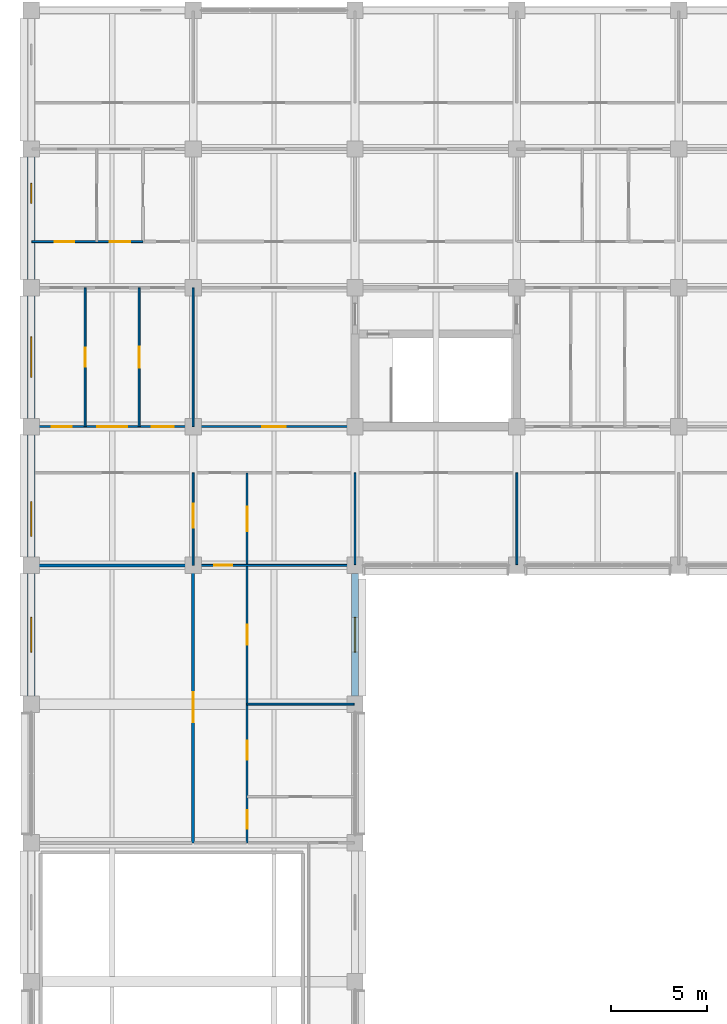
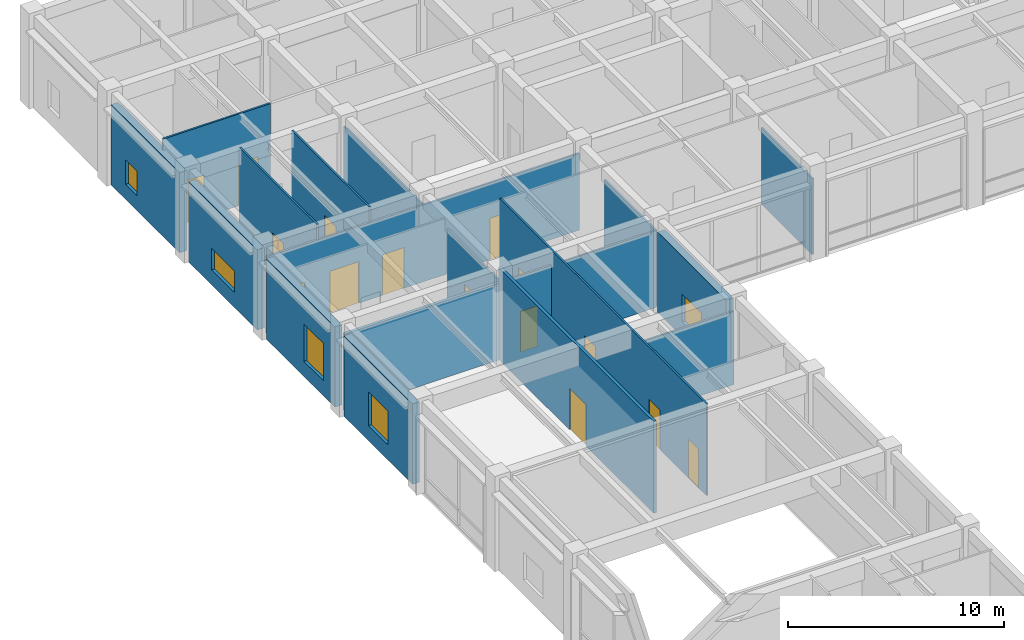
# One storey, part 32 of 58: 18 walls, 15 doors, 5 windows, 20 openings.
"""IFC4 building model written with IfcOpenShell, lengths in metres."""

from ifc_helpers import new_model, si_unit, direction, frame, frame_2d, origin, place, context, subcontext, project, spatial, rectangle, extrude, material, layer, layer_set, type_object, element, fill, save


model = new_model("IFC4")

# Units and contexts
model_context = context("Model", 3, precision=1e-05, world=origin(), true_north=direction((0.0, 1.0)))
body_context = subcontext(model_context, "Body", "Model", "MODEL_VIEW")
ifc_project = project(units=[si_unit("LENGTHUNIT", "METRE"), si_unit("AREAUNIT", "SQUARE_METRE"), si_unit("VOLUMEUNIT", "CUBIC_METRE"), si_unit("PLANEANGLEUNIT", "RADIAN"), si_unit("MASSUNIT", "GRAM", prefix="KILO")], contexts=[model_context])

# Site, building, storey
site_placement = place(None, origin())
site = spatial("IfcSite", under=ifc_project, at=site_placement, CompositionType="ELEMENT")
building_placement = place(site_placement, origin())
building = spatial("IfcBuilding", under=site, at=building_placement, Name="Chengyuan Square Courthouse", CompositionType="ELEMENT")
storey_placement = place(building_placement, frame((0.0, 0.0, 16.199951171875)))
storey = spatial("IfcBuildingStorey", under=building, at=storey_placement, Name="L04", CompositionType="ELEMENT", Elevation=16.199951171875)

# Wall, opening, window
ifc_material_1 = material(Name="Concrete C40", Category="concrete")
ifc_layer_1 = layer(ifc_material_1, 0.3798828125)
ifc_layer_set_1 = layer_set([ifc_layer_1], Name="Concrete C40")
wall_type_1 = type_object("IfcWallType", Name="WL-EW1", PredefinedType="STANDARD", material=ifc_layer_set_1)
wall_1_placement = place(storey_placement, frame((0.0, 72.419921875, 0.0), z_axis=(0.0, 0.0, 1.0), x_axis=(0.0, 1.0, 0.0)))
wall_1 = element("IfcWall", 1, at=wall_1_placement, inside=storey, type_object=wall_type_1, Name="Exterior Wall WL-L04-E299", PredefinedType="STANDARD", context=body_context, shape_type="SweptSolid", body=[
    extrude(rectangle(XDim=6.360107421875, YDim=0.3798828125, at=frame_2d((3.18017578125, 0.0))), origin(), (0.0, 0.0, 1.0), 4.550048828125),
])
opening_1_placement = place(wall_1_placement, frame((2.280029296875, 0.0, 0.85009765625)))
opening_1 = element("IfcOpeningElement", 2, at=opening_1_placement, cuts=wall_1, Name="Opening WN-085", PredefinedType="OPENING", context=body_context, shape_type="SweptSolid", body=[
    extrude(rectangle(XDim=1.800048828125, YDim=1.919921875, at=frame_2d((0.89990234375, 0.9599609375))), frame((0.0, 0.201904296875, 0.0), z_axis=(0.0, -1.0, 0.0), x_axis=(1.0, 0.0, 0.0)), (0.0, 0.0, 1.0), 0.40380859375),
])
ifc_material_2 = material(Name="Thermally Broken Aluminium Triple Low-E Window", Category="aluminium")
window_type_1 = type_object("IfcWindowType", Name="WT-35", PartitioningType="SINGLE_PANEL", PredefinedType="WINDOW", material=ifc_material_2)
window_1_placement = place(opening_1_placement, origin())
window_1 = element("IfcWindow", 3, at=window_1_placement, inside=storey, type_object=window_type_1, Name="Facade Window WN-085", OverallHeight=1.919921875, OverallWidth=1.800048828125, PartitioningType="SINGLE_PANEL", PredefinedType="WINDOW", context=body_context, shape_type="SweptSolid", body=[
    extrude(rectangle(XDim=1.800048828125, YDim=1.919921875, at=frame_2d((0.89990234375, 0.9599609375))), frame((0.0, 0.030029296875, 0.0), z_axis=(0.0, -1.0, 0.0), x_axis=(1.0, 0.0, 0.0)), (0.0, 0.0, 1.0), 0.06005859375),
])
fill(opening_1, window_1)

wall_2_placement = place(storey_placement, frame((0.0, 79.6201171875, 0.0), z_axis=(0.0, 0.0, 1.0), x_axis=(0.0, 1.0, 0.0)))
wall_2 = element("IfcWall", 4, at=wall_2_placement, inside=storey, type_object=wall_type_1, Name="Exterior Wall WL-L04-E300", PredefinedType="STANDARD", context=body_context, shape_type="SweptSolid", body=[
    extrude(rectangle(XDim=6.35986328125, YDim=0.3798828125, at=frame_2d((3.179931640625, 0.0))), origin(), (0.0, 0.0, 1.0), 4.550048828125),
])
opening_2_placement = place(wall_2_placement, frame((1.080078125, 0.0, 0.85009765625)))
opening_2 = element("IfcOpeningElement", 5, at=opening_2_placement, cuts=wall_2, Name="Opening WN-086", PredefinedType="OPENING", context=body_context, shape_type="SweptSolid", body=[
    extrude(rectangle(XDim=1.800048828125, YDim=2.1201171875, at=frame_2d((0.89990234375, 1.06005859375))), frame((0.0, 0.201904296875, 0.0), z_axis=(0.0, -1.0, 0.0), x_axis=(1.0, 0.0, 0.0)), (0.0, 0.0, 1.0), 0.40380859375),
])
window_type_2 = type_object("IfcWindowType", Name="WT-36", PartitioningType="SINGLE_PANEL", PredefinedType="WINDOW", material=ifc_material_2)
window_2_placement = place(opening_2_placement, origin())
window_2 = element("IfcWindow", 6, at=window_2_placement, inside=storey, type_object=window_type_2, Name="Facade Window WN-086", OverallHeight=2.1201171875, OverallWidth=1.800048828125, PartitioningType="SINGLE_PANEL", PredefinedType="WINDOW", context=body_context, shape_type="SweptSolid", body=[
    extrude(rectangle(XDim=1.800048828125, YDim=2.1201171875, at=frame_2d((0.89990234375, 1.06005859375))), frame((0.0, 0.030029296875, 0.0), z_axis=(0.0, -1.0, 0.0), x_axis=(1.0, 0.0, 0.0)), (0.0, 0.0, 1.0), 0.06005859375),
])
fill(opening_2, window_2)

wall_3_placement = place(storey_placement, frame((0.0, 86.820068359375, 0.0), z_axis=(0.0, 0.0, 1.0), x_axis=(0.0, 1.0, 0.0)))
wall_3 = element("IfcWall", 7, at=wall_3_placement, inside=storey, type_object=wall_type_1, Name="Exterior Wall WL-L04-E301", PredefinedType="STANDARD", context=body_context, shape_type="SweptSolid", body=[
    extrude(rectangle(XDim=6.35986328125, YDim=0.3798828125, at=frame_2d((3.179931640625, 0.0))), origin(), (0.0, 0.0, 1.0), 4.550048828125),
])
opening_3_placement = place(wall_3_placement, frame((2.1298828125, 0.0, 0.85009765625)))
opening_3 = element("IfcOpeningElement", 8, at=opening_3_placement, cuts=wall_3, Name="Opening WN-087", PredefinedType="OPENING", context=body_context, shape_type="SweptSolid", body=[
    extrude(rectangle(XDim=2.10009765625, YDim=1.199951171875, at=frame_2d((1.050048828125, 0.60009765625))), frame((0.0, 0.201904296875, 0.0), z_axis=(0.0, -1.0, 0.0), x_axis=(1.0, 0.0, 0.0)), (0.0, 0.0, 1.0), 0.40380859375),
])
window_type_3 = type_object("IfcWindowType", Name="WT-37", PartitioningType="SINGLE_PANEL", PredefinedType="WINDOW", material=ifc_material_2)
window_3_placement = place(opening_3_placement, origin())
window_3 = element("IfcWindow", 9, at=window_3_placement, inside=storey, type_object=window_type_3, Name="Facade Window WN-087", OverallHeight=1.199951171875, OverallWidth=2.10009765625, PartitioningType="SINGLE_PANEL", PredefinedType="WINDOW", context=body_context, shape_type="SweptSolid", body=[
    extrude(rectangle(XDim=2.10009765625, YDim=1.199951171875, at=frame_2d((1.050048828125, 0.60009765625))), frame((0.0, 0.030029296875, 0.0), z_axis=(0.0, -1.0, 0.0), x_axis=(1.0, 0.0, 0.0)), (0.0, 0.0, 1.0), 0.06005859375),
])
fill(opening_3, window_3)

wall_4_placement = place(storey_placement, frame((0.0, 94.02001953125, 0.0), z_axis=(0.0, 0.0, 1.0), x_axis=(0.0, 1.0, 0.0)))
wall_4 = element("IfcWall", 10, at=wall_4_placement, inside=storey, type_object=wall_type_1, Name="Exterior Wall WL-L04-E302", PredefinedType="STANDARD", context=body_context, shape_type="SweptSolid", body=[
    extrude(rectangle(XDim=6.35986328125, YDim=0.3798828125, at=frame_2d((3.179931640625, 0.0))), origin(), (0.0, 0.0, 1.0), 4.550048828125),
])
opening_4_placement = place(wall_4_placement, frame((3.955078125, 0.0, 0.85009765625)))
opening_4 = element("IfcOpeningElement", 11, at=opening_4_placement, cuts=wall_4, Name="Opening WN-088", PredefinedType="OPENING", context=body_context, shape_type="SweptSolid", body=[
    extrude(rectangle(XDim=1.050048828125, YDim=1.3798828125, at=frame_2d((0.52490234375, 0.68994140625))), frame((0.0, 0.201904296875, 0.0), z_axis=(0.0, -1.0, 0.0), x_axis=(1.0, 0.0, 0.0)), (0.0, 0.0, 1.0), 0.40380859375),
])
window_type_4 = type_object("IfcWindowType", Name="WT-08", PartitioningType="SINGLE_PANEL", PredefinedType="WINDOW", material=ifc_material_2)
window_4_placement = place(opening_4_placement, origin())
window_4 = element("IfcWindow", 12, at=window_4_placement, inside=storey, type_object=window_type_4, Name="Facade Window WN-088", OverallHeight=1.3798828125, OverallWidth=1.050048828125, PartitioningType="SINGLE_PANEL", PredefinedType="WINDOW", context=body_context, shape_type="SweptSolid", body=[
    extrude(rectangle(XDim=1.050048828125, YDim=1.3798828125, at=frame_2d((0.52490234375, 0.68994140625))), frame((0.0, 0.030029296875, 0.0), z_axis=(0.0, -1.0, 0.0), x_axis=(1.0, 0.0, 0.0)), (0.0, 0.0, 1.0), 0.06005859375),
])
fill(opening_4, window_4)

wall_5_placement = place(storey_placement, frame((16.800048828125, 72.419921875, 0.0), z_axis=(0.0, 0.0, 1.0), x_axis=(0.0, 1.0, 0.0)))
wall_5 = element("IfcWall", 13, at=wall_5_placement, inside=storey, type_object=wall_type_1, Name="Exterior Wall WL-L04-E309", PredefinedType="STANDARD", context=body_context, shape_type="SweptSolid", body=[
    extrude(rectangle(XDim=6.360107421875, YDim=0.3798828125, at=frame_2d((3.18017578125, 0.0))), origin(), (0.0, 0.0, 1.0), 4.550048828125),
])
opening_5_placement = place(wall_5_placement, frame((2.280029296875, 0.0, 0.85009765625)))
opening_5 = element("IfcOpeningElement", 14, at=opening_5_placement, cuts=wall_5, Name="Opening WN-093", PredefinedType="OPENING", context=body_context, shape_type="SweptSolid", body=[
    extrude(rectangle(XDim=1.800048828125, YDim=1.56005859375, at=frame_2d((0.89990234375, 0.780029296875))), frame((0.0, 0.201904296875, 0.0), z_axis=(0.0, -1.0, 0.0), x_axis=(1.0, 0.0, 0.0)), (0.0, 0.0, 1.0), 0.40380859375),
])
window_type_5 = type_object("IfcWindowType", Name="WT-33", PartitioningType="SINGLE_PANEL", PredefinedType="WINDOW", material=ifc_material_2)
window_5_placement = place(opening_5_placement, origin())
window_5 = element("IfcWindow", 15, at=window_5_placement, inside=storey, type_object=window_type_5, Name="Facade Window WN-093", OverallHeight=1.56005859375, OverallWidth=1.800048828125, PartitioningType="SINGLE_PANEL", PredefinedType="WINDOW", context=body_context, shape_type="SweptSolid", body=[
    extrude(rectangle(XDim=1.800048828125, YDim=1.56005859375, at=frame_2d((0.89990234375, 0.780029296875))), frame((0.0, 0.030029296875, 0.0), z_axis=(0.0, -1.0, 0.0), x_axis=(1.0, 0.0, 0.0)), (0.0, 0.0, 1.0), 0.06005859375),
])
fill(opening_5, window_5)

# Wall
ifc_material_3 = material(Name="Acoustic Timber-Lined Gypsum Partition", Category="wood")
ifc_layer_2 = layer(ifc_material_3, 0.159912109375)
ifc_layer_set_2 = layer_set([ifc_layer_2], Name="Acoustic Timber-Lined Gypsum Partition")
wall_type_2 = type_object("IfcWallType", Name="WL-PT2", PredefinedType="STANDARD", material=ifc_layer_set_2)
wall_6_placement = place(storey_placement, frame((0.0400390625, 79.199951171875, 0.0), z_axis=(0.0, 0.0, 1.0), x_axis=(1.0, 0.0, 0.0)))
element("IfcWall", 16, at=wall_6_placement, inside=storey, type_object=wall_type_2, Name="Interior Wall WL-L04-I1769", PredefinedType="STANDARD", context=body_context, shape_type="SweptSolid", body=[
    extrude(rectangle(XDim=8.35986328125, YDim=0.159912109375, at=frame_2d((4.179931640625, 0.0))), origin(), (0.0, 0.0, 1.0), 4.35009765625),
])

# Wall, opening, door
wall_7_placement = place(storey_placement, frame((8.39990234375, 64.800048828125, 0.0), z_axis=(0.0, 0.0, 1.0), x_axis=(0.0, 1.0, 0.0)))
wall_7 = element("IfcWall", 17, at=wall_7_placement, inside=storey, type_object=wall_type_2, Name="Interior Wall WL-L04-I1918", PredefinedType="STANDARD", context=body_context, shape_type="SweptSolid", body=[
    extrude(rectangle(XDim=14.39990234375, YDim=0.159912109375, at=frame_2d((7.199951171875, 0.0))), origin(), (0.0, 0.0, 1.0), 5.199951171875),
])
opening_6_placement = place(wall_7_placement, frame((6.25244140625, 0.0, 0.0)))
opening_6 = element("IfcOpeningElement", 18, at=opening_6_placement, cuts=wall_7, Name="Opening DR-1906", PredefinedType="OPENING", context=body_context, shape_type="SweptSolid", body=[
    extrude(rectangle(XDim=1.550048828125, YDim=2.35009765625, at=frame_2d((0.77490234375, 1.175048828125))), frame((0.0, 0.092041015625, 0.0), z_axis=(0.0, -1.0, 0.0), x_axis=(1.0, 0.0, 0.0)), (0.0, 0.0, 1.0), 0.183837890625),
])
ifc_material_4 = material(Name="Acoustic Larch Veneer Double Door")
door_type_1 = type_object("IfcDoorType", Name="DT-23", OperationType="DOUBLE_DOOR_SINGLE_SWING", PredefinedType="DOOR", material=ifc_material_4)
door_1_placement = place(opening_6_placement, frame((1.550048828125, 0.0, 0.0), z_axis=(0.0, 0.0, 1.0), x_axis=(-1.0, 0.0, 0.0)))
door_1 = element("IfcDoor", 19, at=door_1_placement, inside=storey, type_object=door_type_1, Name="Interior Door DR-1906", OperationType="DOUBLE_DOOR_SINGLE_SWING", OverallHeight=2.35009765625, OverallWidth=1.550048828125, PredefinedType="DOOR", context=body_context, shape_type="SweptSolid", body=[
    extrude(rectangle(XDim=1.550048828125, YDim=2.35009765625, at=frame_2d((0.77490234375, 1.175048828125))), frame((0.0, 0.02490234375, 0.0), z_axis=(0.0, -1.0, 0.0), x_axis=(1.0, 0.0, 0.0)), (0.0, 0.0, 1.0), 0.050048828125),
])
fill(opening_6, door_1)

# Wall
ifc_material_5 = material(Name="Gypsum Plasterboard Acoustic Stud Partition")
ifc_layer_3 = layer(ifc_material_5, 0.10009765625)
ifc_layer_set_3 = layer_set([ifc_layer_3], Name="Gypsum Plasterboard Acoustic Stud Partition")
wall_type_3 = type_object("IfcWallType", Name="WL-PT6", PredefinedType="STANDARD", material=ifc_layer_set_3)
wall_8_placement = place(storey_placement, frame((11.199951171875, 72.0, 0.0), z_axis=(0.0, 0.0, 1.0), x_axis=(1.0, 0.0, 0.0)))
element("IfcWall", 20, at=wall_8_placement, inside=storey, type_object=wall_type_3, Name="Interior Wall WL-L04-I1767", PredefinedType="STANDARD", context=body_context, shape_type="SweptSolid", body=[
    extrude(rectangle(XDim=5.56005859375, YDim=0.10009765625, at=frame_2d((2.780029296875, 0.0))), origin(), (0.0, 0.0, 1.0), 4.150146484375),
])

# Wall, opening, door
wall_9_placement = place(storey_placement, frame((8.39990234375, 79.199951171875, 0.0), z_axis=(0.0, 0.0, 1.0), x_axis=(1.0, 0.0, 0.0)))
wall_9 = element("IfcWall", 21, at=wall_9_placement, inside=storey, type_object=wall_type_3, Name="Interior Wall WL-L04-I1770", PredefinedType="STANDARD", context=body_context, shape_type="SweptSolid", body=[
    extrude(rectangle(XDim=8.360107421875, YDim=0.10009765625, at=frame_2d((4.18017578125, 0.0))), origin(), (0.0, 0.0, 1.0), 4.35009765625),
])
opening_7_placement = place(wall_9_placement, frame((1.1025390625, 0.0, 0.0)))
opening_7 = element("IfcOpeningElement", 22, at=opening_7_placement, cuts=wall_9, Name="Opening DR-1895", PredefinedType="OPENING", context=body_context, shape_type="SweptSolid", body=[
    extrude(rectangle(XDim=0.93994140625, YDim=2.300048828125, at=frame_2d((0.469970703125, 1.14990234375))), frame((0.0, 0.06201171875, 0.0), z_axis=(0.0, -1.0, 0.0), x_axis=(1.0, 0.0, 0.0)), (0.0, 0.0, 1.0), 0.1240234375),
])
ifc_material_6 = material(Name="Acoustic Solid-Core Timber Door", Category="wood")
door_type_2 = type_object("IfcDoorType", Name="DT-39", OperationType="NOTDEFINED", PredefinedType="DOOR", material=ifc_material_6)
door_2_placement = place(opening_7_placement, origin())
door_2 = element("IfcDoor", 23, at=door_2_placement, inside=storey, type_object=door_type_2, Name="Interior Door DR-1895", OperationType="SINGLE_SWING_RIGHT", OverallHeight=2.300048828125, OverallWidth=0.93994140625, PredefinedType="DOOR", context=body_context, shape_type="SweptSolid", body=[
    extrude(rectangle(XDim=0.93994140625, YDim=2.300048828125, at=frame_2d((0.469970703125, 1.14990234375))), frame((0.0, 0.02490234375, 0.0), z_axis=(0.0, -1.0, 0.0), x_axis=(1.0, 0.0, 0.0)), (0.0, 0.0, 1.0), 0.050048828125),
])
fill(opening_7, door_2)

# Wall, openings, doors
wall_10_placement = place(storey_placement, frame((0.0400390625, 86.39990234375, 0.0), z_axis=(0.0, 0.0, 1.0), x_axis=(1.0, 0.0, 0.0)))
wall_10 = element("IfcWall", 24, at=wall_10_placement, inside=storey, type_object=wall_type_3, Name="Interior Wall WL-L04-I1778", PredefinedType="STANDARD", context=body_context, shape_type="SweptSolid", body=[
    extrude(rectangle(XDim=16.760009765625, YDim=0.10009765625, at=frame_2d((8.3798828125, 0.0))), origin(), (0.0, 0.0, 1.0), 4.35009765625),
])
opening_8_placement = place(wall_10_placement, frame((1.012451171875, 0.0, 0.0)))
opening_8 = element("IfcOpeningElement", 25, at=opening_8_placement, cuts=wall_10, Name="Opening DR-1820", PredefinedType="OPENING", context=body_context, shape_type="SweptSolid", body=[
    extrude(rectangle(XDim=1.0400390625, YDim=2.199951171875, at=frame_2d((0.52001953125, 1.10009765625))), frame((0.0, 0.06201171875, 0.0), z_axis=(0.0, -1.0, 0.0), x_axis=(1.0, 0.0, 0.0)), (0.0, 0.0, 1.0), 0.1240234375),
])
opening_9_placement = place(wall_10_placement, frame((3.385009765625, 0.0, 0.0)))
opening_9 = element("IfcOpeningElement", 26, at=opening_9_placement, cuts=wall_10, Name="Opening DR-1822", PredefinedType="OPENING", context=body_context, shape_type="SweptSolid", body=[
    extrude(rectangle(XDim=1.550048828125, YDim=2.35009765625, at=frame_2d((0.77490234375, 1.175048828125))), frame((0.0, 0.06201171875, 0.0), z_axis=(0.0, -1.0, 0.0), x_axis=(1.0, 0.0, 0.0)), (0.0, 0.0, 1.0), 0.1240234375),
])
opening_10_placement = place(wall_10_placement, frame((6.20751953125, 0.0, 0.0)))
opening_10 = element("IfcOpeningElement", 27, at=opening_10_placement, cuts=wall_10, Name="Opening DR-1823", PredefinedType="OPENING", context=body_context, shape_type="SweptSolid", body=[
    extrude(rectangle(XDim=1.159912109375, YDim=2.300048828125, at=frame_2d((0.580078125, 1.14990234375))), frame((0.0, 0.06201171875, 0.0), z_axis=(0.0, -1.0, 0.0), x_axis=(1.0, 0.0, 0.0)), (0.0, 0.0, 1.0), 0.1240234375),
])
opening_11_placement = place(wall_10_placement, frame((11.9599609375, 0.0, 0.0)))
opening_11 = element("IfcOpeningElement", 28, at=opening_11_placement, cuts=wall_10, Name="Opening DR-1824", PredefinedType="OPENING", context=body_context, shape_type="SweptSolid", body=[
    extrude(rectangle(XDim=1.199951171875, YDim=2.35009765625, at=frame_2d((0.60009765625, 1.175048828125))), frame((0.0, 0.06201171875, 0.0), z_axis=(0.0, -1.0, 0.0), x_axis=(1.0, 0.0, 0.0)), (0.0, 0.0, 1.0), 0.1240234375),
])
door_3_placement = place(opening_9_placement, frame((1.550048828125, 0.0, 0.0), z_axis=(0.0, 0.0, 1.0), x_axis=(-1.0, 0.0, 0.0)))
door_3 = element("IfcDoor", 29, at=door_3_placement, inside=storey, type_object=door_type_1, Name="Interior Door DR-1822", OperationType="DOUBLE_DOOR_SINGLE_SWING", OverallHeight=2.35009765625, OverallWidth=1.550048828125, PredefinedType="DOOR", context=body_context, shape_type="SweptSolid", body=[
    extrude(rectangle(XDim=1.550048828125, YDim=2.35009765625, at=frame_2d((0.77490234375, 1.175048828125))), frame((0.0, 0.02490234375, 0.0), z_axis=(0.0, -1.0, 0.0), x_axis=(1.0, 0.0, 0.0)), (0.0, 0.0, 1.0), 0.050048828125),
])
fill(opening_9, door_3)
door_type_3 = type_object("IfcDoorType", Name="DT-32", OperationType="NOTDEFINED", PredefinedType="DOOR", material=ifc_material_6)
door_4_placement = place(opening_8_placement, origin())
door_4 = element("IfcDoor", 30, at=door_4_placement, inside=storey, type_object=door_type_3, Name="Interior Door DR-1820", OperationType="SINGLE_SWING_LEFT", OverallHeight=2.199951171875, OverallWidth=1.0400390625, PredefinedType="DOOR", context=body_context, shape_type="SweptSolid", body=[
    extrude(rectangle(XDim=1.0400390625, YDim=2.199951171875, at=frame_2d((0.52001953125, 1.10009765625))), frame((0.0, 0.02490234375, 0.0), z_axis=(0.0, -1.0, 0.0), x_axis=(1.0, 0.0, 0.0)), (0.0, 0.0, 1.0), 0.050048828125),
])
fill(opening_8, door_4)
door_type_4 = type_object("IfcDoorType", Name="DT-35", OperationType="NOTDEFINED", PredefinedType="DOOR", material=ifc_material_6)
door_5_placement = place(opening_10_placement, origin())
door_5 = element("IfcDoor", 31, at=door_5_placement, inside=storey, type_object=door_type_4, Name="Interior Door DR-1823", OperationType="SINGLE_SWING_LEFT", OverallHeight=2.300048828125, OverallWidth=1.159912109375, PredefinedType="DOOR", context=body_context, shape_type="SweptSolid", body=[
    extrude(rectangle(XDim=1.159912109375, YDim=2.300048828125, at=frame_2d((0.580078125, 1.14990234375))), frame((0.0, 0.02490234375, 0.0), z_axis=(0.0, -1.0, 0.0), x_axis=(1.0, 0.0, 0.0)), (0.0, 0.0, 1.0), 0.050048828125),
])
fill(opening_10, door_5)
door_type_5 = type_object("IfcDoorType", Name="DT-36", OperationType="NOTDEFINED", PredefinedType="DOOR", material=ifc_material_6)
door_6_placement = place(opening_11_placement, origin())
door_6 = element("IfcDoor", 32, at=door_6_placement, inside=storey, type_object=door_type_5, Name="Interior Door DR-1824", OperationType="SINGLE_SWING_RIGHT", OverallHeight=2.35009765625, OverallWidth=1.199951171875, PredefinedType="DOOR", context=body_context, shape_type="SweptSolid", body=[
    extrude(rectangle(XDim=1.199951171875, YDim=2.35009765625, at=frame_2d((0.60009765625, 1.175048828125))), frame((0.0, 0.02490234375, 0.0), z_axis=(0.0, -1.0, 0.0), x_axis=(1.0, 0.0, 0.0)), (0.0, 0.0, 1.0), 0.050048828125),
])
fill(opening_11, door_6)

wall_11_placement = place(storey_placement, frame((0.0400390625, 96.0, 0.0), z_axis=(0.0, 0.0, 1.0), x_axis=(1.0, 0.0, 0.0)))
wall_11 = element("IfcWall", 33, at=wall_11_placement, inside=storey, type_object=wall_type_3, Name="Interior Wall WL-L04-I1822", PredefinedType="STANDARD", context=body_context, shape_type="SweptSolid", body=[
    extrude(rectangle(XDim=5.760009765625, YDim=0.10009765625, at=frame_2d((2.8798828125, 0.0))), origin(), (0.0, 0.0, 1.0), 5.199951171875),
])
opening_12_placement = place(wall_11_placement, frame((1.169921875, 0.0, 0.0)))
opening_12 = element("IfcOpeningElement", 34, at=opening_12_placement, cuts=wall_11, Name="Opening DR-1744", PredefinedType="OPENING", context=body_context, shape_type="SweptSolid", body=[
    extrude(rectangle(XDim=1.02001953125, YDim=2.39990234375, at=frame_2d((0.510009765625, 1.199951171875))), frame((0.0, 0.06201171875, 0.0), z_axis=(0.0, -1.0, 0.0), x_axis=(1.0, 0.0, 0.0)), (0.0, 0.0, 1.0), 0.1240234375),
])
opening_13_placement = place(wall_11_placement, frame((4.030029296875, 0.0, 0.0)))
opening_13 = element("IfcOpeningElement", 35, at=opening_13_placement, cuts=wall_11, Name="Opening DR-1745", PredefinedType="OPENING", context=body_context, shape_type="SweptSolid", body=[
    extrude(rectangle(XDim=1.06005859375, YDim=2.39990234375, at=frame_2d((0.530029296875, 1.199951171875))), frame((0.0, 0.06201171875, 0.0), z_axis=(0.0, -1.0, 0.0), x_axis=(1.0, 0.0, 0.0)), (0.0, 0.0, 1.0), 0.1240234375),
])
door_type_6 = type_object("IfcDoorType", Name="DT-41", OperationType="NOTDEFINED", PredefinedType="DOOR", material=ifc_material_6)
door_7_placement = place(opening_12_placement, origin())
door_7 = element("IfcDoor", 36, at=door_7_placement, inside=storey, type_object=door_type_6, Name="Interior Door DR-1744", OperationType="SINGLE_SWING_RIGHT", OverallHeight=2.39990234375, OverallWidth=1.02001953125, PredefinedType="DOOR", context=body_context, shape_type="SweptSolid", body=[
    extrude(rectangle(XDim=1.02001953125, YDim=2.39990234375, at=frame_2d((0.510009765625, 1.199951171875))), frame((0.0, 0.02490234375, 0.0), z_axis=(0.0, -1.0, 0.0), x_axis=(1.0, 0.0, 0.0)), (0.0, 0.0, 1.0), 0.050048828125),
])
fill(opening_12, door_7)
door_type_7 = type_object("IfcDoorType", Name="DT-42", OperationType="NOTDEFINED", PredefinedType="DOOR", material=ifc_material_6)
door_8_placement = place(opening_13_placement, origin())
door_8 = element("IfcDoor", 37, at=door_8_placement, inside=storey, type_object=door_type_7, Name="Interior Door DR-1745", OperationType="SINGLE_SWING_LEFT", OverallHeight=2.39990234375, OverallWidth=1.06005859375, PredefinedType="DOOR", context=body_context, shape_type="SweptSolid", body=[
    extrude(rectangle(XDim=1.06005859375, YDim=2.39990234375, at=frame_2d((0.530029296875, 1.199951171875))), frame((0.0, 0.02490234375, 0.0), z_axis=(0.0, -1.0, 0.0), x_axis=(1.0, 0.0, 0.0)), (0.0, 0.0, 1.0), 0.050048828125),
])
fill(opening_13, door_8)

# Wall, opening, door
wall_12_placement = place(storey_placement, frame((2.800048828125, 86.39990234375, 0.0), z_axis=(0.0, 0.0, 1.0), x_axis=(0.0, 1.0, 0.0)))
wall_12 = element("IfcWall", 38, at=wall_12_placement, inside=storey, type_object=wall_type_3, Name="Interior Wall WL-L04-I1911", PredefinedType="STANDARD", context=body_context, shape_type="SweptSolid", body=[
    extrude(rectangle(XDim=7.2001953125, YDim=0.10009765625, at=frame_2d((3.60009765625, 0.0))), origin(), (0.0, 0.0, 1.0), 5.199951171875),
])
opening_14_placement = place(wall_12_placement, frame((3.10009765625, 0.0, 0.0)))
opening_14 = element("IfcOpeningElement", 39, at=opening_14_placement, cuts=wall_12, Name="Opening DR-1819", PredefinedType="OPENING", context=body_context, shape_type="SweptSolid", body=[
    extrude(rectangle(XDim=1.0, YDim=2.25, at=frame_2d((0.5, 1.125))), frame((0.0, 0.06201171875, 0.0), z_axis=(0.0, -1.0, 0.0), x_axis=(1.0, 0.0, 0.0)), (0.0, 0.0, 1.0), 0.1240234375),
])
door_type_8 = type_object("IfcDoorType", Name="DT-31", OperationType="NOTDEFINED", PredefinedType="DOOR", material=ifc_material_6)
door_9_placement = place(opening_14_placement, origin())
door_9 = element("IfcDoor", 40, at=door_9_placement, inside=storey, type_object=door_type_8, Name="Interior Door DR-1819", OperationType="SINGLE_SWING_RIGHT", OverallHeight=2.25, OverallWidth=1.0, PredefinedType="DOOR", context=body_context, shape_type="SweptSolid", body=[
    extrude(rectangle(XDim=1.0, YDim=2.25, at=frame_2d((0.5, 1.125))), frame((0.0, 0.02490234375, 0.0), z_axis=(0.0, -1.0, 0.0), x_axis=(1.0, 0.0, 0.0)), (0.0, 0.0, 1.0), 0.050048828125),
])
fill(opening_14, door_9)

wall_13_placement = place(storey_placement, frame((5.60009765625, 86.39990234375, 0.0), z_axis=(0.0, 0.0, 1.0), x_axis=(0.0, 1.0, 0.0)))
wall_13 = element("IfcWall", 41, at=wall_13_placement, inside=storey, type_object=wall_type_3, Name="Interior Wall WL-L04-I1913", PredefinedType="STANDARD", context=body_context, shape_type="SweptSolid", body=[
    extrude(rectangle(XDim=7.2001953125, YDim=0.10009765625, at=frame_2d((3.60009765625, 0.0))), origin(), (0.0, 0.0, 1.0), 5.199951171875),
])
opening_15_placement = place(wall_13_placement, frame((3.06005859375, 0.0, 0.0)))
opening_15 = element("IfcOpeningElement", 42, at=opening_15_placement, cuts=wall_13, Name="Opening DR-1821", PredefinedType="OPENING", context=body_context, shape_type="SweptSolid", body=[
    extrude(rectangle(XDim=1.080078125, YDim=2.25, at=frame_2d((0.5400390625, 1.125))), frame((0.0, 0.06201171875, 0.0), z_axis=(0.0, -1.0, 0.0), x_axis=(1.0, 0.0, 0.0)), (0.0, 0.0, 1.0), 0.1240234375),
])
door_type_9 = type_object("IfcDoorType", Name="DT-33", OperationType="NOTDEFINED", PredefinedType="DOOR", material=ifc_material_6)
door_10_placement = place(opening_15_placement, origin())
door_10 = element("IfcDoor", 43, at=door_10_placement, inside=storey, type_object=door_type_9, Name="Interior Door DR-1821", OperationType="SINGLE_SWING_RIGHT", OverallHeight=2.25, OverallWidth=1.080078125, PredefinedType="DOOR", context=body_context, shape_type="SweptSolid", body=[
    extrude(rectangle(XDim=1.080078125, YDim=2.25, at=frame_2d((0.5400390625, 1.125))), frame((0.0, 0.02490234375, 0.0), z_axis=(0.0, -1.0, 0.0), x_axis=(1.0, 0.0, 0.0)), (0.0, 0.0, 1.0), 0.050048828125),
])
fill(opening_15, door_10)

wall_14_placement = place(storey_placement, frame((8.39990234375, 79.199951171875, 0.0), z_axis=(0.0, 0.0, 1.0), x_axis=(0.0, 1.0, 0.0)))
wall_14 = element("IfcWall", 44, at=wall_14_placement, inside=storey, type_object=wall_type_3, Name="Interior Wall WL-L04-I1919", PredefinedType="STANDARD", context=body_context, shape_type="SweptSolid", body=[
    extrude(rectangle(XDim=4.800048828125, YDim=0.10009765625, at=frame_2d((2.39990234375, 0.0))), origin(), (0.0, 0.0, 1.0), 4.449951171875),
])
opening_16_placement = place(wall_14_placement, frame((1.952392578125, 0.0, 0.0)))
opening_16 = element("IfcOpeningElement", 45, at=opening_16_placement, cuts=wall_14, Name="Opening DR-1893", PredefinedType="OPENING", context=body_context, shape_type="SweptSolid", body=[
    extrude(rectangle(XDim=1.239990234375, YDim=2.300048828125, at=frame_2d((0.6201171875, 1.14990234375))), frame((0.0, 0.06201171875, 0.0), z_axis=(0.0, -1.0, 0.0), x_axis=(1.0, 0.0, 0.0)), (0.0, 0.0, 1.0), 0.1240234375),
])
door_type_10 = type_object("IfcDoorType", Name="DT-37", OperationType="NOTDEFINED", PredefinedType="DOOR", material=ifc_material_6)
door_11_placement = place(opening_16_placement, origin())
door_11 = element("IfcDoor", 46, at=door_11_placement, inside=storey, type_object=door_type_10, Name="Interior Door DR-1893", OperationType="SINGLE_SWING_RIGHT", OverallHeight=2.300048828125, OverallWidth=1.239990234375, PredefinedType="DOOR", context=body_context, shape_type="SweptSolid", body=[
    extrude(rectangle(XDim=1.239990234375, YDim=2.300048828125, at=frame_2d((0.6201171875, 1.14990234375))), frame((0.0, 0.02490234375, 0.0), z_axis=(0.0, -1.0, 0.0), x_axis=(1.0, 0.0, 0.0)), (0.0, 0.0, 1.0), 0.050048828125),
])
fill(opening_16, door_11)

# Wall
wall_15_placement = place(storey_placement, frame((8.39990234375, 86.39990234375, 0.0), z_axis=(0.0, 0.0, 1.0), x_axis=(0.0, 1.0, 0.0)))
element("IfcWall", 47, at=wall_15_placement, inside=storey, type_object=wall_type_3, Name="Interior Wall WL-L04-I1920", PredefinedType="STANDARD", context=body_context, shape_type="SweptSolid", body=[
    extrude(rectangle(XDim=7.2001953125, YDim=0.10009765625, at=frame_2d((3.60009765625, 0.0))), origin(), (0.0, 0.0, 1.0), 4.449951171875),
])

# Wall, openings, doors
wall_16_placement = place(storey_placement, frame((11.199951171875, 64.800048828125, 0.0), z_axis=(0.0, 0.0, 1.0), x_axis=(0.0, 1.0, 0.0)))
wall_16 = element("IfcWall", 48, at=wall_16_placement, inside=storey, type_object=wall_type_3, Name="Interior Wall WL-L04-I1924", PredefinedType="STANDARD", context=body_context, shape_type="SweptSolid", body=[
    extrude(rectangle(XDim=19.199951171875, YDim=0.10009765625, at=frame_2d((9.60009765625, 0.0))), origin(), (0.0, 0.0, 1.0), 5.199951171875),
])
opening_17_placement = place(wall_16_placement, frame((16.159912109375, 0.0, 0.0)))
opening_17 = element("IfcOpeningElement", 49, at=opening_17_placement, cuts=wall_16, Name="Opening DR-1894", PredefinedType="OPENING", context=body_context, shape_type="SweptSolid", body=[
    extrude(rectangle(XDim=1.280029296875, YDim=2.35009765625, at=frame_2d((0.64013671875, 1.175048828125))), frame((0.0, 0.06201171875, 0.0), z_axis=(0.0, -1.0, 0.0), x_axis=(1.0, 0.0, 0.0)), (0.0, 0.0, 1.0), 0.1240234375),
])
opening_18_placement = place(wall_16_placement, frame((0.719970703125, 0.0, 0.0)))
opening_18 = element("IfcOpeningElement", 50, at=opening_18_placement, cuts=wall_16, Name="Opening DR-1903", PredefinedType="OPENING", context=body_context, shape_type="SweptSolid", body=[
    extrude(rectangle(XDim=0.9599609375, YDim=2.199951171875, at=frame_2d((0.47998046875, 1.10009765625))), frame((0.0, 0.06201171875, 0.0), z_axis=(0.0, -1.0, 0.0), x_axis=(1.0, 0.0, 0.0)), (0.0, 0.0, 1.0), 0.1240234375),
])
opening_19_placement = place(wall_16_placement, frame((4.300048828125, 0.0, 0.0)))
opening_19 = element("IfcOpeningElement", 51, at=opening_19_placement, cuts=wall_16, Name="Opening DR-1904", PredefinedType="OPENING", context=body_context, shape_type="SweptSolid", body=[
    extrude(rectangle(XDim=1.0, YDim=2.25, at=frame_2d((0.5, 1.125))), frame((0.0, 0.06201171875, 0.0), z_axis=(0.0, -1.0, 0.0), x_axis=(1.0, 0.0, 0.0)), (0.0, 0.0, 1.0), 0.1240234375),
])
opening_20_placement = place(wall_16_placement, frame((10.280029296875, 0.0, 0.0)))
opening_20 = element("IfcOpeningElement", 52, at=opening_20_placement, cuts=wall_16, Name="Opening DR-1905", PredefinedType="OPENING", context=body_context, shape_type="SweptSolid", body=[
    extrude(rectangle(XDim=1.0400390625, YDim=2.199951171875, at=frame_2d((0.52001953125, 1.10009765625))), frame((0.0, 0.06201171875, 0.0), z_axis=(0.0, -1.0, 0.0), x_axis=(1.0, 0.0, 0.0)), (0.0, 0.0, 1.0), 0.1240234375),
])
door_type_11 = type_object("IfcDoorType", Name="DT-30", OperationType="NOTDEFINED", PredefinedType="DOOR", material=ifc_material_6)
door_12_placement = place(opening_18_placement, origin())
door_12 = element("IfcDoor", 53, at=door_12_placement, inside=storey, type_object=door_type_11, Name="Interior Door DR-1903", OperationType="SINGLE_SWING_RIGHT", OverallHeight=2.199951171875, OverallWidth=0.9599609375, PredefinedType="DOOR", context=body_context, shape_type="SweptSolid", body=[
    extrude(rectangle(XDim=0.9599609375, YDim=2.199951171875, at=frame_2d((0.47998046875, 1.10009765625))), frame((0.0, 0.02490234375, 0.0), z_axis=(0.0, -1.0, 0.0), x_axis=(1.0, 0.0, 0.0)), (0.0, 0.0, 1.0), 0.050048828125),
])
fill(opening_18, door_12)
door_13_placement = place(opening_19_placement, origin())
door_13 = element("IfcDoor", 54, at=door_13_placement, inside=storey, type_object=door_type_8, Name="Interior Door DR-1904", OperationType="SINGLE_SWING_LEFT", OverallHeight=2.25, OverallWidth=1.0, PredefinedType="DOOR", context=body_context, shape_type="SweptSolid", body=[
    extrude(rectangle(XDim=1.0, YDim=2.25, at=frame_2d((0.5, 1.125))), frame((0.0, 0.02490234375, 0.0), z_axis=(0.0, -1.0, 0.0), x_axis=(1.0, 0.0, 0.0)), (0.0, 0.0, 1.0), 0.050048828125),
])
fill(opening_19, door_13)
door_14_placement = place(opening_20_placement, origin())
door_14 = element("IfcDoor", 55, at=door_14_placement, inside=storey, type_object=door_type_3, Name="Interior Door DR-1905", OperationType="SINGLE_SWING_RIGHT", OverallHeight=2.199951171875, OverallWidth=1.0400390625, PredefinedType="DOOR", context=body_context, shape_type="SweptSolid", body=[
    extrude(rectangle(XDim=1.0400390625, YDim=2.199951171875, at=frame_2d((0.52001953125, 1.10009765625))), frame((0.0, 0.02490234375, 0.0), z_axis=(0.0, -1.0, 0.0), x_axis=(1.0, 0.0, 0.0)), (0.0, 0.0, 1.0), 0.050048828125),
])
fill(opening_20, door_14)
door_type_12 = type_object("IfcDoorType", Name="DT-38", OperationType="NOTDEFINED", PredefinedType="DOOR", material=ifc_material_6)
door_15_placement = place(opening_17_placement, origin())
door_15 = element("IfcDoor", 56, at=door_15_placement, inside=storey, type_object=door_type_12, Name="Interior Door DR-1894", OperationType="SINGLE_SWING_LEFT", OverallHeight=2.35009765625, OverallWidth=1.280029296875, PredefinedType="DOOR", context=body_context, shape_type="SweptSolid", body=[
    extrude(rectangle(XDim=1.280029296875, YDim=2.35009765625, at=frame_2d((0.64013671875, 1.175048828125))), frame((0.0, 0.02490234375, 0.0), z_axis=(0.0, -1.0, 0.0), x_axis=(1.0, 0.0, 0.0)), (0.0, 0.0, 1.0), 0.050048828125),
])
fill(opening_17, door_15)

# Walls
for number, where, z_axis, x_axis, name in (
    (57, (16.800048828125, 79.239990234375, 0.0), (0.0, 0.0, 1.0), (0.0, 1.0, 0.0), "Interior Wall WL-L04-I1927"),
    (58, (25.199951171875, 79.239990234375, 0.0), (0.0, 0.0, 1.0), (0.0, 1.0, 0.0), "Interior Wall WL-L04-I1932"),
):
    element("IfcWall", number, at=place(storey_placement, frame(where, z_axis=z_axis, x_axis=x_axis)), inside=storey, type_object=wall_type_3, Name=name, PredefinedType="STANDARD", context=body_context, shape_type="SweptSolid", body=[
        extrude(rectangle(XDim=4.760009765625, YDim=0.10009765625, at=frame_2d((2.3798828125, 0.0))), origin(), (0.0, 0.0, 1.0), 4.300048828125),
    ])

save(model, "model.ifc")
